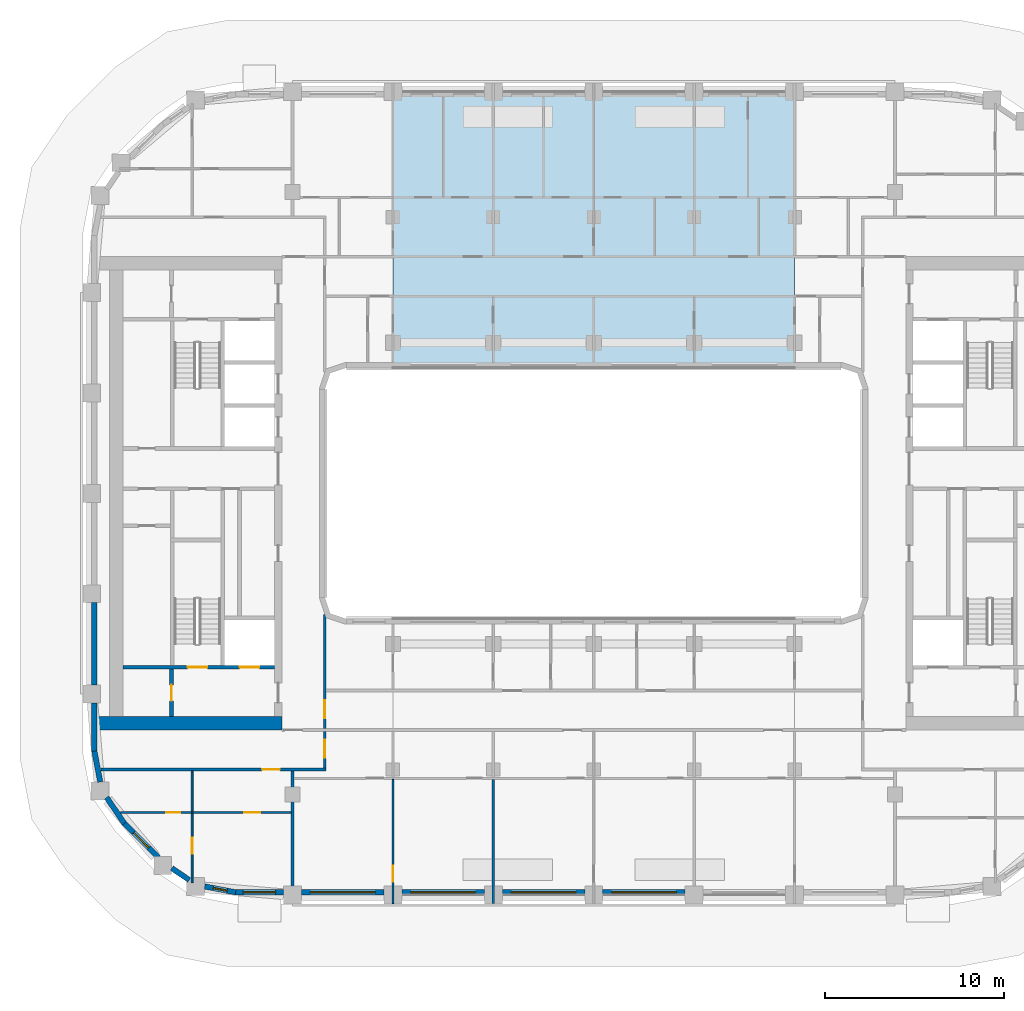
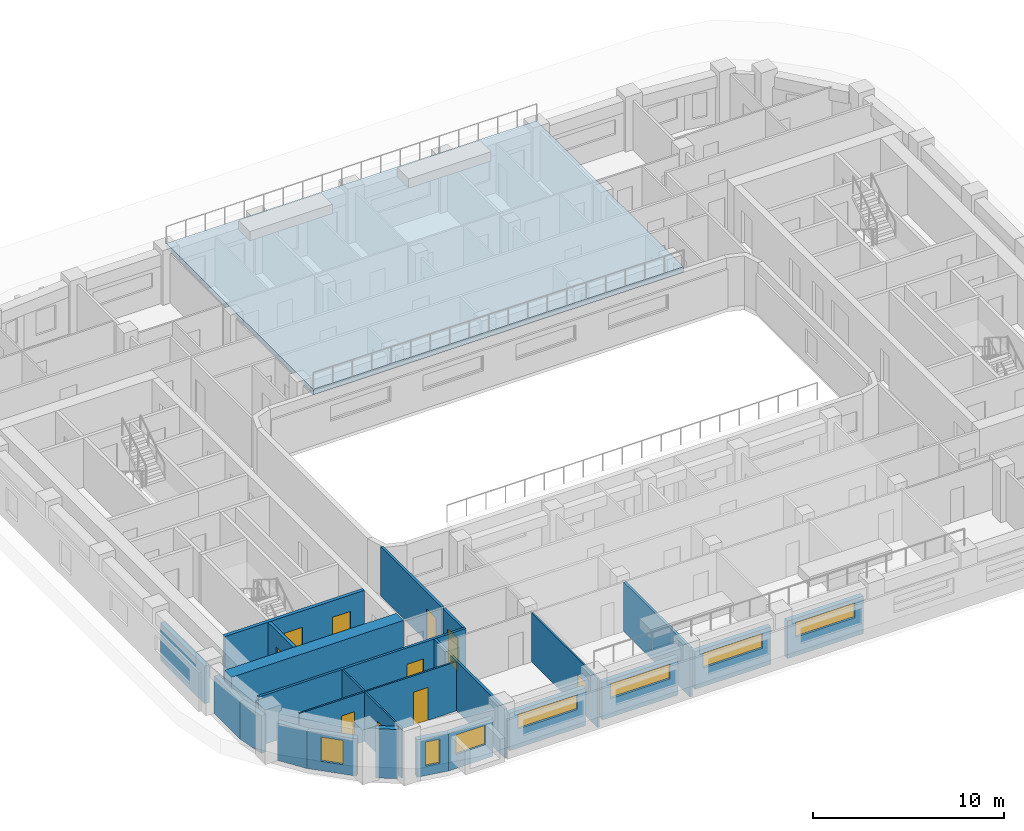
# One storey, part 2 of 17: 24 walls, 10 doors, 7 windows, 1 slab, 17 openings.
"""IFC4 building model written with IfcOpenShell, lengths in metres."""

from ifc_helpers import new_model, si_unit, direction, frame, frame_2d, origin, place, context, subcontext, project, spatial, polyline, rectangle, outline, extrude, material, layer, layer_set, type_object, element, fill, save


model = new_model("IFC4")

# Units and contexts
model_context = context("Model", 3, precision=1e-05, world=origin(), true_north=direction((0.0, 1.0)))
body_context = subcontext(model_context, "Body", "Model", "MODEL_VIEW")
ifc_project = project(units=[si_unit("LENGTHUNIT", "METRE"), si_unit("AREAUNIT", "SQUARE_METRE"), si_unit("VOLUMEUNIT", "CUBIC_METRE"), si_unit("PLANEANGLEUNIT", "RADIAN"), si_unit("MASSUNIT", "GRAM", prefix="KILO")], contexts=[model_context])

# Site, building, storey
site_placement = place(None, origin())
site = spatial("IfcSite", under=ifc_project, at=site_placement, CompositionType="ELEMENT")
building_placement = place(site_placement, origin())
building = spatial("IfcBuilding", under=site, at=building_placement, Name="Kiln Ring Residences", CompositionType="ELEMENT")
storey_placement = place(building_placement, frame((0.0, 0.0, 174.60009765625)))
storey = spatial("IfcBuildingStorey", under=building, at=storey_placement, Name="L45", CompositionType="ELEMENT", Elevation=174.60009765625)

# Slab
ifc_material_1 = material(Name="Concrete C40/50", Category="concrete")
ifc_layer_1 = layer(ifc_material_1, 0.35009765625)
ifc_layer_set_1 = layer_set([ifc_layer_1], Name="Roof slab 350")
slab_type = type_object("IfcSlabType", Name="Roof slab 350", PredefinedType="ROOF", material=ifc_layer_set_1)
slab_placement = place(storey_placement, frame((0.0, 0.0, 3.14990234375)))
element("IfcSlab", 1, at=slab_placement, inside=storey, type_object=slab_type, Name="Roof slab L45 2", PredefinedType="ROOF", context=body_context, shape_type="SweptSolid", body=[
    extrude(outline(polyline([(-11.199462890625, 22.39990234375), (-11.199462890625, 7.0), (11.199462890625, 7.0), (11.199462890625, 22.39990234375), (-11.199462890625, 22.39990234375)])), origin(), (0.0, 0.0, 1.0), 0.35009765625),
])

# Wall, opening, door
ifc_material_2 = material(Name="Gypsum board on steel studs", Category="steel")
ifc_layer_2 = layer(ifc_material_2, 0.199951171875)
ifc_layer_set_2 = layer_set([ifc_layer_2], Name="CORE-PARTITION-200")
wall_type_1 = type_object("IfcWallType", Name="CORE-PARTITION-200", PredefinedType="PARTITIONING", material=ifc_layer_set_2)
wall_1_placement = place(storey_placement, frame((-23.550048828125, -12.449951171875, 0.0), z_axis=(0.0, 0.0, 1.0), x_axis=(0.0, 1.0, 0.0)))
wall_1 = element("IfcWall", 2, at=wall_1_placement, inside=storey, type_object=wall_type_1, Name="Core partition west L45 5", PredefinedType="PARTITIONING", context=body_context, shape_type="SweptSolid", body=[
    extrude(rectangle(XDim=2.64990234375, YDim=0.199951171875, at=frame_2d((1.324951171875, 0.0))), origin(), (0.0, 0.0, 1.0), 3.14990234375),
])
opening_1_placement = place(wall_1_placement, frame((0.875, 0.0, 0.0)))
opening_1 = element("IfcOpeningElement", 3, at=opening_1_placement, cuts=wall_1, Name="Opening L45-CW10", PredefinedType="OPENING", context=body_context, shape_type="SweptSolid", body=[
    extrude(rectangle(XDim=0.89990234375, YDim=2.10009765625, at=frame_2d((0.449951171875, 1.050048828125))), frame((0.0, 0.10986328125, 0.0), z_axis=(0.0, -1.0, 0.0), x_axis=(1.0, 0.0, 0.0)), (0.0, 0.0, 1.0), 0.219970703125),
])
ifc_material_3 = material(Name="Steel door leaf", Category="steel")
door_type_1 = type_object("IfcDoorType", Name="CORE-DOOR-ROOM", OperationType="SINGLE_SWING_LEFT", PredefinedType="DOOR", material=ifc_material_3)
door_1_placement = place(opening_1_placement, origin())
door_1 = element("IfcDoor", 4, at=door_1_placement, inside=storey, type_object=door_type_1, Name="Store L45-CW10", OperationType="SINGLE_SWING_RIGHT", OverallHeight=2.10009765625, OverallWidth=0.89990234375, PredefinedType="DOOR", context=body_context, shape_type="SweptSolid", body=[
    extrude(rectangle(XDim=0.89990234375, YDim=2.10009765625, at=frame_2d((0.449951171875, 1.050048828125))), frame((0.0, 0.02490234375, 0.0), z_axis=(0.0, -1.0, 0.0), x_axis=(1.0, 0.0, 0.0)), (0.0, 0.0, 1.0), 0.050048828125),
])
fill(opening_1, door_1)

# Wall, openings, doors
ifc_material_4 = material(Name="Concrete C40/50", Category="concrete")
ifc_layer_3 = layer(ifc_material_4, 0.199951171875)
ifc_layer_set_3 = layer_set([ifc_layer_3], Name="CORE-WALL-RC200")
wall_type_2 = type_object("IfcWallType", Name="CORE-WALL-RC200", PredefinedType="SHEAR", material=ifc_layer_set_3)
wall_2_placement = place(storey_placement, frame((-17.800048828125, -9.699951171875, 0.0), z_axis=(0.0, 0.0, 1.0), x_axis=(-1.0, 0.0, 0.0)))
wall_2 = element("IfcWall", 5, at=wall_2_placement, inside=storey, type_object=wall_type_2, Name="Core wall west L45 8", PredefinedType="SHEAR", context=body_context, shape_type="SweptSolid", body=[
    extrude(rectangle(XDim=8.449951171875, YDim=0.199951171875, at=frame_2d((4.22509765625, 0.0))), origin(), (0.0, 0.0, 1.0), 3.14990234375),
])
opening_2_placement = place(wall_2_placement, frame((0.85009765625, 0.0, 0.0)))
opening_2 = element("IfcOpeningElement", 6, at=opening_2_placement, cuts=wall_2, Name="Opening L45-CW01", PredefinedType="OPENING", context=body_context, shape_type="SweptSolid", body=[
    extrude(rectangle(XDim=1.10009765625, YDim=2.10009765625, at=frame_2d((0.550048828125, 1.050048828125))), frame((0.0, 0.10986328125, 0.0), z_axis=(0.0, -1.0, 0.0), x_axis=(1.0, 0.0, 0.0)), (0.0, 0.0, 1.0), 0.219970703125),
])
opening_3_placement = place(wall_2_placement, frame((3.75, 0.0, 0.0)))
opening_3 = element("IfcOpeningElement", 7, at=opening_3_placement, cuts=wall_2, Name="Opening L45-CW12", PredefinedType="OPENING", context=body_context, shape_type="SweptSolid", body=[
    extrude(rectangle(XDim=1.10009765625, YDim=2.10009765625, at=frame_2d((0.550048828125, 1.050048828125))), frame((0.0, 0.10986328125, 0.0), z_axis=(0.0, -1.0, 0.0), x_axis=(1.0, 0.0, 0.0)), (0.0, 0.0, 1.0), 0.219970703125),
])
ifc_material_5 = material(Name="Steel door leaf", Category="steel")
door_type_2 = type_object("IfcDoorType", Name="CORE-DOOR-LD", OperationType="DOUBLE_DOOR_SLIDING", PredefinedType="DOOR", material=ifc_material_5)
door_2_placement = place(opening_2_placement, origin())
door_2 = element("IfcDoor", 8, at=door_2_placement, inside=storey, type_object=door_type_2, Name="LD W-SV L45-CW01", OperationType="DOUBLE_DOOR_SLIDING", OverallHeight=2.10009765625, OverallWidth=1.10009765625, PredefinedType="DOOR", context=body_context, shape_type="SweptSolid", body=[
    extrude(rectangle(XDim=1.10009765625, YDim=2.10009765625, at=frame_2d((0.550048828125, 1.050048828125))), frame((0.0, 0.02490234375, 0.0), z_axis=(0.0, -1.0, 0.0), x_axis=(1.0, 0.0, 0.0)), (0.0, 0.0, 1.0), 0.050048828125),
])
fill(opening_2, door_2)
ifc_material_6 = material(Name="Steel door leaf", Category="steel")
door_type_3 = type_object("IfcDoorType", Name="CORE-DOOR-STAIR", OperationType="SINGLE_SWING_LEFT", PredefinedType="DOOR", material=ifc_material_6)
door_3_placement = place(opening_3_placement, origin())
door_3 = element("IfcDoor", 9, at=door_3_placement, inside=storey, type_object=door_type_3, Name="Stair W-STS L45-CW12", OperationType="SINGLE_SWING_LEFT", OverallHeight=2.10009765625, OverallWidth=1.10009765625, PredefinedType="DOOR", context=body_context, shape_type="SweptSolid", body=[
    extrude(rectangle(XDim=1.10009765625, YDim=2.10009765625, at=frame_2d((0.550048828125, 1.050048828125))), frame((0.0, 0.02490234375, 0.0), z_axis=(0.0, -1.0, 0.0), x_axis=(1.0, 0.0, 0.0)), (0.0, 0.0, 1.0), 0.050048828125),
])
fill(opening_3, door_3)

# Wall
ifc_material_7 = material(Name="Concrete C60/75", Category="concrete")
ifc_layer_4 = layer(ifc_material_7, 0.75)
ifc_layer_set_4 = layer_set([ifc_layer_4], Name="CORE-WALL-RC750")
wall_type_3 = type_object("IfcWallType", Name="CORE-WALL-RC750", PredefinedType="SHEAR", material=ifc_layer_set_4)
wall_3_placement = place(storey_placement, frame((-17.39990234375, -12.824951171875, 0.0), z_axis=(0.0, 0.0, 1.0), x_axis=(-1.0, 0.0, 0.0)))
element("IfcWall", 10, at=wall_3_placement, inside=storey, type_object=wall_type_3, Name="Core wall west L45 5", PredefinedType="SHEAR", context=body_context, shape_type="SweptSolid", body=[
    extrude(rectangle(XDim=10.400146484375, YDim=0.75, at=frame_2d((5.2001953125, 0.0))), origin(), (0.0, 0.0, 1.0), 3.14990234375),
])

# Wall, opening, window
ifc_material_8 = material(Name="Brick masonry, dark clay brick", Category="masonry")
ifc_layer_5 = layer(ifc_material_8, 0.300048828125)
ifc_layer_set_5 = layer_set([ifc_layer_5], Name="EW-300 BRICK WALL")
wall_type_4 = type_object("IfcWallType", Name="EW-300 BRICK WALL", PredefinedType="SOLIDWALL", material=ifc_layer_set_5)
wall_4_placement = place(storey_placement, frame((-26.19677734375, -18.390869140625, 0.0), z_axis=(0.0, 0.0, 1.0), x_axis=(0.707061571201, -0.707151988282, 0.0)))
wall_4 = element("IfcWall", 11, at=wall_4_placement, inside=storey, type_object=wall_type_4, Name="Facade wall L45 1", PredefinedType="SOLIDWALL", context=body_context, shape_type="SweptSolid", body=[
    extrude(rectangle(XDim=2.7001953125, YDim=0.300048828125, at=frame_2d((1.35009765625, 0.0))), origin(), (0.0, 0.0, 1.0), 2.39990234375),
])
opening_4_placement = place(wall_4_placement, frame((0.75, 0.0, 0.60009765625)))
opening_4 = element("IfcOpeningElement", 12, at=opening_4_placement, cuts=wall_4, Name="Opening W1", PredefinedType="OPENING", context=body_context, shape_type="SweptSolid", body=[
    extrude(rectangle(XDim=1.199951171875, YDim=1.550048828125, at=frame_2d((0.60009765625, 0.77490234375))), frame((0.0, 0.159912109375, 0.0), z_axis=(0.0, -1.0, 0.0), x_axis=(1.0, 0.0, 0.0)), (0.0, 0.0, 1.0), 0.320068359375),
])
ifc_material_9 = material(Name="Aluminium frame with double glazing", Category="aluminium")
window_type_1 = type_object("IfcWindowType", Name="WINDOW 1200 x 1550", PartitioningType="SINGLE_PANEL", PredefinedType="WINDOW", material=ifc_material_9)
window_1_placement = place(opening_4_placement, origin())
window_1 = element("IfcWindow", 13, at=window_1_placement, inside=storey, type_object=window_type_1, Name="Window L45 1", OverallHeight=1.550048828125, OverallWidth=1.199951171875, PartitioningType="SINGLE_PANEL", PredefinedType="WINDOW", context=body_context, shape_type="SweptSolid", body=[
    extrude(rectangle(XDim=1.199951171875, YDim=1.550048828125, at=frame_2d((0.60009765625, 0.77490234375))), frame((0.0, 0.030029296875, 0.0), z_axis=(0.0, -1.0, 0.0), x_axis=(1.0, 0.0, 0.0)), (0.0, 0.0, 1.0), 0.06005859375),
])
fill(opening_4, window_1)

# Wall
wall_5_placement = place(storey_placement, frame((-23.533935546875, -20.904296875, 0.0), z_axis=(0.0, 0.0, 1.0), x_axis=(0.827103906596, -0.56204904385, 0.0)))
element("IfcWall", 14, at=wall_5_placement, inside=storey, type_object=wall_type_4, Name="Facade wall L45 2", PredefinedType="SOLIDWALL", context=body_context, shape_type="SweptSolid", body=[
    extrude(rectangle(XDim=1.17724609375, YDim=0.300048828125, at=frame_2d((0.588623046875, 0.0))), origin(), (0.0, 0.0, 1.0), 3.14990234375),
])

# Wall, opening, window
wall_6_placement = place(storey_placement, frame((-21.697021484375, -21.923583984375, 0.0), z_axis=(0.0, 0.0, 1.0), x_axis=(0.982284988433, -0.187393173565, 0.0)))
wall_6 = element("IfcWall", 15, at=wall_6_placement, inside=storey, type_object=wall_type_4, Name="Facade wall L45 3", PredefinedType="SOLIDWALL", context=body_context, shape_type="SweptSolid", body=[
    extrude(rectangle(XDim=1.756103515625, YDim=0.300048828125, at=frame_2d((0.8779296875, 0.0))), origin(), (0.0, 0.0, 1.0), 2.39990234375),
])
opening_5_placement = place(wall_6_placement, frame((0.47802734375, 0.0, 0.60009765625)))
opening_5 = element("IfcOpeningElement", 16, at=opening_5_placement, cuts=wall_6, Name="Opening W5", PredefinedType="OPENING", context=body_context, shape_type="SweptSolid", body=[
    extrude(rectangle(XDim=0.800048828125, YDim=1.550048828125, at=frame_2d((0.39990234375, 0.77490234375))), frame((0.0, 0.159912109375, 0.0), z_axis=(0.0, -1.0, 0.0), x_axis=(1.0, 0.0, 0.0)), (0.0, 0.0, 1.0), 0.320068359375),
])
ifc_material_10 = material(Name="Aluminium frame with double glazing", Category="aluminium")
window_type_2 = type_object("IfcWindowType", Name="WINDOW 800 x 1550", PartitioningType="SINGLE_PANEL", PredefinedType="WINDOW", material=ifc_material_10)
window_2_placement = place(opening_5_placement, origin())
window_2 = element("IfcWindow", 17, at=window_2_placement, inside=storey, type_object=window_type_2, Name="Window L45 2", OverallHeight=1.550048828125, OverallWidth=0.800048828125, PartitioningType="SINGLE_PANEL", PredefinedType="WINDOW", context=body_context, shape_type="SweptSolid", body=[
    extrude(rectangle(XDim=0.800048828125, YDim=1.550048828125, at=frame_2d((0.39990234375, 0.77490234375))), frame((0.0, 0.030029296875, 0.0), z_axis=(0.0, -1.0, 0.0), x_axis=(1.0, 0.0, 0.0)), (0.0, 0.0, 1.0), 0.06005859375),
])
fill(opening_5, window_2)

wall_7_placement = place(storey_placement, frame((-20.0, -22.25, 0.0), z_axis=(0.0, 0.0, 1.0), x_axis=(1.0, 0.0, 0.0)))
wall_7 = element("IfcWall", 18, at=wall_7_placement, inside=storey, type_object=wall_type_4, Name="Facade wall L45 4", PredefinedType="SOLIDWALL", context=body_context, shape_type="SweptSolid", body=[
    extrude(rectangle(XDim=2.699951171875, YDim=0.300048828125, at=frame_2d((1.35009765625, 0.0))), origin(), (0.0, 0.0, 1.0), 2.39990234375),
])
opening_6_placement = place(wall_7_placement, frame((0.449951171875, 0.0, 0.89990234375)))
opening_6 = element("IfcOpeningElement", 19, at=opening_6_placement, cuts=wall_7, Name="Opening W2", PredefinedType="OPENING", context=body_context, shape_type="SweptSolid", body=[
    extrude(rectangle(XDim=1.800048828125, YDim=1.25, at=frame_2d((0.89990234375, 0.625))), frame((0.0, 0.159912109375, 0.0), z_axis=(0.0, -1.0, 0.0), x_axis=(1.0, 0.0, 0.0)), (0.0, 0.0, 1.0), 0.320068359375),
])
ifc_material_11 = material(Name="Aluminium frame with double glazing", Category="aluminium")
window_type_3 = type_object("IfcWindowType", Name="WINDOW 1800 x 1250", PartitioningType="SINGLE_PANEL", PredefinedType="WINDOW", material=ifc_material_11)
window_3_placement = place(opening_6_placement, origin())
window_3 = element("IfcWindow", 20, at=window_3_placement, inside=storey, type_object=window_type_3, Name="Window L45 3", OverallHeight=1.25, OverallWidth=1.800048828125, PartitioningType="SINGLE_PANEL", PredefinedType="WINDOW", context=body_context, shape_type="SweptSolid", body=[
    extrude(rectangle(XDim=1.800048828125, YDim=1.25, at=frame_2d((0.89990234375, 0.625))), frame((0.0, 0.030029296875, 0.0), z_axis=(0.0, -1.0, 0.0), x_axis=(1.0, 0.0, 0.0)), (0.0, 0.0, 1.0), 0.06005859375),
])
fill(opening_6, window_3)

wall_8_placement = place(storey_placement, frame((-16.300048828125, -22.25, 0.0), z_axis=(0.0, 0.0, 1.0), x_axis=(1.0, 0.0, 0.0)))
wall_8 = element("IfcWall", 21, at=wall_8_placement, inside=storey, type_object=wall_type_4, Name="Facade wall L45 5", PredefinedType="SOLIDWALL", context=body_context, shape_type="SweptSolid", body=[
    extrude(rectangle(XDim=4.60009765625, YDim=0.300048828125, at=frame_2d((2.300048828125, 0.0))), origin(), (0.0, 0.0, 1.0), 2.39990234375),
])
opening_7_placement = place(wall_8_placement, frame((0.5, 0.0, 1.199951171875)))
opening_7 = element("IfcOpeningElement", 22, at=opening_7_placement, cuts=wall_8, Name="Opening W4", PredefinedType="OPENING", context=body_context, shape_type="SweptSolid", body=[
    extrude(rectangle(XDim=3.60009765625, YDim=0.949951171875, at=frame_2d((1.800048828125, 0.47509765625))), frame((0.0, 0.159912109375, 0.0), z_axis=(0.0, -1.0, 0.0), x_axis=(1.0, 0.0, 0.0)), (0.0, 0.0, 1.0), 0.320068359375),
])
ifc_material_12 = material(Name="Aluminium frame with double glazing", Category="aluminium")
window_type_4 = type_object("IfcWindowType", Name="WINDOW 3600 x 950", PartitioningType="SINGLE_PANEL", PredefinedType="WINDOW", material=ifc_material_12)
window_4_placement = place(opening_7_placement, origin())
window_4 = element("IfcWindow", 23, at=window_4_placement, inside=storey, type_object=window_type_4, Name="Window L45 4", OverallHeight=0.949951171875, OverallWidth=3.60009765625, PartitioningType="SINGLE_PANEL", PredefinedType="WINDOW", context=body_context, shape_type="SweptSolid", body=[
    extrude(rectangle(XDim=3.60009765625, YDim=0.949951171875, at=frame_2d((1.800048828125, 0.47509765625))), frame((0.0, 0.030029296875, 0.0), z_axis=(0.0, -1.0, 0.0), x_axis=(1.0, 0.0, 0.0)), (0.0, 0.0, 1.0), 0.06005859375),
])
fill(opening_7, window_4)

wall_9_placement = place(storey_placement, frame((-10.699951171875, -22.25, 0.0), z_axis=(0.0, 0.0, 1.0), x_axis=(1.0, 0.0, 0.0)))
wall_9 = element("IfcWall", 24, at=wall_9_placement, inside=storey, type_object=wall_type_4, Name="Facade wall L45 6", PredefinedType="SOLIDWALL", context=body_context, shape_type="SweptSolid", body=[
    extrude(rectangle(XDim=4.599853515625, YDim=0.300048828125, at=frame_2d((2.2998046875, 0.0))), origin(), (0.0, 0.0, 1.0), 2.39990234375),
])
opening_8_placement = place(wall_9_placement, frame((0.5, 0.0, 1.199951171875)))
opening_8 = element("IfcOpeningElement", 25, at=opening_8_placement, cuts=wall_9, Name="Opening W4", PredefinedType="OPENING", context=body_context, shape_type="SweptSolid", body=[
    extrude(rectangle(XDim=3.60009765625, YDim=0.949951171875, at=frame_2d((1.800048828125, 0.47509765625))), frame((0.0, 0.159912109375, 0.0), z_axis=(0.0, -1.0, 0.0), x_axis=(1.0, 0.0, 0.0)), (0.0, 0.0, 1.0), 0.320068359375),
])
window_5_placement = place(opening_8_placement, origin())
window_5 = element("IfcWindow", 26, at=window_5_placement, inside=storey, type_object=window_type_4, Name="Window L45 5", OverallHeight=0.949951171875, OverallWidth=3.60009765625, PartitioningType="SINGLE_PANEL", PredefinedType="WINDOW", context=body_context, shape_type="SweptSolid", body=[
    extrude(rectangle(XDim=3.60009765625, YDim=0.949951171875, at=frame_2d((1.800048828125, 0.47509765625))), frame((0.0, 0.030029296875, 0.0), z_axis=(0.0, -1.0, 0.0), x_axis=(1.0, 0.0, 0.0)), (0.0, 0.0, 1.0), 0.06005859375),
])
fill(opening_8, window_5)

wall_10_placement = place(storey_placement, frame((-5.10009765625, -22.25, 0.0), z_axis=(0.0, 0.0, 1.0), x_axis=(1.0, 0.0, 0.0)))
wall_10 = element("IfcWall", 27, at=wall_10_placement, inside=storey, type_object=wall_type_4, Name="Facade wall L45 7", PredefinedType="SOLIDWALL", context=body_context, shape_type="SweptSolid", body=[
    extrude(rectangle(XDim=4.60009765625, YDim=0.300048828125, at=frame_2d((2.300048828125, 0.0))), origin(), (0.0, 0.0, 1.0), 2.39990234375),
])
opening_9_placement = place(wall_10_placement, frame((0.5, 0.0, 1.199951171875)))
opening_9 = element("IfcOpeningElement", 28, at=opening_9_placement, cuts=wall_10, Name="Opening W4", PredefinedType="OPENING", context=body_context, shape_type="SweptSolid", body=[
    extrude(rectangle(XDim=3.60009765625, YDim=0.949951171875, at=frame_2d((1.800048828125, 0.47509765625))), frame((0.0, 0.159912109375, 0.0), z_axis=(0.0, -1.0, 0.0), x_axis=(1.0, 0.0, 0.0)), (0.0, 0.0, 1.0), 0.320068359375),
])
window_6_placement = place(opening_9_placement, origin())
window_6 = element("IfcWindow", 29, at=window_6_placement, inside=storey, type_object=window_type_4, Name="Window L45 6", OverallHeight=0.949951171875, OverallWidth=3.60009765625, PartitioningType="SINGLE_PANEL", PredefinedType="WINDOW", context=body_context, shape_type="SweptSolid", body=[
    extrude(rectangle(XDim=3.60009765625, YDim=0.949951171875, at=frame_2d((1.800048828125, 0.47509765625))), frame((0.0, 0.030029296875, 0.0), z_axis=(0.0, -1.0, 0.0), x_axis=(1.0, 0.0, 0.0)), (0.0, 0.0, 1.0), 0.06005859375),
])
fill(opening_9, window_6)

wall_11_placement = place(storey_placement, frame((0.5, -22.25, 0.0), z_axis=(0.0, 0.0, 1.0), x_axis=(1.0, 0.0, 0.0)))
wall_11 = element("IfcWall", 30, at=wall_11_placement, inside=storey, type_object=wall_type_4, Name="Facade wall L45 8", PredefinedType="SOLIDWALL", context=body_context, shape_type="SweptSolid", body=[
    extrude(rectangle(XDim=4.60009765625, YDim=0.300048828125, at=frame_2d((2.300048828125, 0.0))), origin(), (0.0, 0.0, 1.0), 2.39990234375),
])
opening_10_placement = place(wall_11_placement, frame((0.5, 0.0, 1.199951171875)))
opening_10 = element("IfcOpeningElement", 31, at=opening_10_placement, cuts=wall_11, Name="Opening W4", PredefinedType="OPENING", context=body_context, shape_type="SweptSolid", body=[
    extrude(rectangle(XDim=3.60009765625, YDim=0.949951171875, at=frame_2d((1.800048828125, 0.47509765625))), frame((0.0, 0.159912109375, 0.0), z_axis=(0.0, -1.0, 0.0), x_axis=(1.0, 0.0, 0.0)), (0.0, 0.0, 1.0), 0.320068359375),
])
window_7_placement = place(opening_10_placement, origin())
window_7 = element("IfcWindow", 32, at=window_7_placement, inside=storey, type_object=window_type_4, Name="Window L45 7", OverallHeight=0.949951171875, OverallWidth=3.60009765625, PartitioningType="SINGLE_PANEL", PredefinedType="WINDOW", context=body_context, shape_type="SweptSolid", body=[
    extrude(rectangle(XDim=3.60009765625, YDim=0.949951171875, at=frame_2d((1.800048828125, 0.47509765625))), frame((0.0, 0.030029296875, 0.0), z_axis=(0.0, -1.0, 0.0), x_axis=(1.0, 0.0, 0.0)), (0.0, 0.0, 1.0), 0.06005859375),
])
fill(opening_10, window_7)

# Walls
wall_12_placement = place(storey_placement, frame((-27.85009765625, -6.10009765625, 0.0), z_axis=(0.0, 0.0, 1.0), x_axis=(0.0, -1.0, 0.0)))
element("IfcWall", 33, at=wall_12_placement, inside=storey, type_object=wall_type_4, Name="Facade wall L45 45", PredefinedType="SOLIDWALL", context=body_context, shape_type="SweptSolid", body=[
    extrude(rectangle(XDim=4.599853515625, YDim=0.300048828125, at=frame_2d((2.2998046875, 0.0))), origin(), (0.0, 0.0, 1.0), 2.39990234375),
])
wall_13_placement = place(storey_placement, frame((-27.85009765625, -11.699951171875, 0.0), z_axis=(0.0, 0.0, 1.0), x_axis=(0.0, -1.0, 0.0)))
element("IfcWall", 34, at=wall_13_placement, inside=storey, type_object=wall_type_4, Name="Facade wall L45 46", PredefinedType="SOLIDWALL", context=body_context, shape_type="SweptSolid", body=[
    extrude(rectangle(XDim=2.699951171875, YDim=0.300048828125, at=frame_2d((1.35009765625, 0.0))), origin(), (0.0, 0.0, 1.0), 2.39990234375),
])
for number, where, z_axis, x_axis, name in (
    (35, (-27.8525390625, -14.371826171875, 0.0), (0.0, 0.0, 1.0), (0.187259034321, -0.982310569049, 0.0), "Facade wall L45 47"),
    (36, (-27.166015625, -16.96044921875, 0.0), (0.0, 0.0, 1.0), (0.562089443061, -0.82707645233, 0.0), "Facade wall L45 48"),
):
    element("IfcWall", number, at=place(storey_placement, frame(where, z_axis=z_axis, x_axis=x_axis)), inside=storey, type_object=wall_type_4, Name=name, PredefinedType="SOLIDWALL", context=body_context, shape_type="SweptSolid", body=[
        extrude(rectangle(XDim=1.756103515625, YDim=0.300048828125, at=frame_2d((0.8779296875, 0.0))), origin(), (0.0, 0.0, 1.0), 2.39990234375),
    ])

# Wall, openings, doors
ifc_material_13 = material(Name="Gypsum board on steel studs", Category="steel")
ifc_layer_6 = layer(ifc_material_13, 0.10009765625)
ifc_layer_set_6 = layer_set([ifc_layer_6], Name="PARTITION-100")
wall_type_5 = type_object("IfcWallType", Name="PARTITION-100", PredefinedType="PARTITIONING", material=ifc_layer_set_6)
wall_14_placement = place(storey_placement, frame((-26.39404296875, -17.800048828125, 0.0), z_axis=(0.0, 0.0, 1.0), x_axis=(1.0, 0.0, 0.0)))
wall_14 = element("IfcWall", 37, at=wall_14_placement, inside=storey, type_object=wall_type_5, Name="Partition 001", PredefinedType="PARTITIONING", context=body_context, shape_type="SweptSolid", body=[
    extrude(rectangle(XDim=9.51904296875, YDim=0.10009765625, at=frame_2d((4.759521484375, 0.0))), origin(), (0.0, 0.0, 1.0), 3.14990234375),
])
opening_11_placement = place(wall_14_placement, frame((2.5439453125, 0.0, 0.0)))
opening_11 = element("IfcOpeningElement", 38, at=opening_11_placement, cuts=wall_14, Name="Opening L45-D069", PredefinedType="OPENING", context=body_context, shape_type="SweptSolid", body=[
    extrude(rectangle(XDim=0.800048828125, YDim=2.10009765625, at=frame_2d((0.39990234375, 1.050048828125))), frame((0.0, 0.06005859375, 0.0), z_axis=(0.0, -1.0, 0.0), x_axis=(1.0, 0.0, 0.0)), (0.0, 0.0, 1.0), 0.1201171875),
])
opening_12_placement = place(wall_14_placement, frame((6.89404296875, 0.0, 0.0)))
opening_12 = element("IfcOpeningElement", 39, at=opening_12_placement, cuts=wall_14, Name="Opening L45-D070", PredefinedType="OPENING", context=body_context, shape_type="SweptSolid", body=[
    extrude(rectangle(XDim=0.89990234375, YDim=2.10009765625, at=frame_2d((0.449951171875, 1.050048828125))), frame((0.0, 0.06005859375, 0.0), z_axis=(0.0, -1.0, 0.0), x_axis=(1.0, 0.0, 0.0)), (0.0, 0.0, 1.0), 0.1201171875),
])
ifc_material_14 = material(Name="Timber door leaf", Category="wood")
door_type_4 = type_object("IfcDoorType", Name="FLAT-DOOR-800-PL", OperationType="SINGLE_SWING_LEFT", PredefinedType="DOOR", material=ifc_material_14)
door_4_placement = place(opening_11_placement, origin())
door_4 = element("IfcDoor", 40, at=door_4_placement, inside=storey, type_object=door_type_4, Name="Door L45-D069", OperationType="SINGLE_SWING_LEFT", OverallHeight=2.10009765625, OverallWidth=0.800048828125, PredefinedType="DOOR", context=body_context, shape_type="SweptSolid", body=[
    extrude(rectangle(XDim=0.800048828125, YDim=2.10009765625, at=frame_2d((0.39990234375, 1.050048828125))), frame((0.0, 0.02490234375, 0.0), z_axis=(0.0, -1.0, 0.0), x_axis=(1.0, 0.0, 0.0)), (0.0, 0.0, 1.0), 0.050048828125),
])
fill(opening_11, door_4)
ifc_material_15 = material(Name="Timber door leaf", Category="wood")
door_type_5 = type_object("IfcDoorType", Name="FLAT-DOOR-900-PL", OperationType="SINGLE_SWING_LEFT", PredefinedType="DOOR", material=ifc_material_15)
door_5_placement = place(opening_12_placement, origin())
door_5 = element("IfcDoor", 41, at=door_5_placement, inside=storey, type_object=door_type_5, Name="Door L45-D070", OperationType="SINGLE_SWING_RIGHT", OverallHeight=2.10009765625, OverallWidth=0.89990234375, PredefinedType="DOOR", context=body_context, shape_type="SweptSolid", body=[
    extrude(rectangle(XDim=0.89990234375, YDim=2.10009765625, at=frame_2d((0.449951171875, 1.050048828125))), frame((0.0, 0.02490234375, 0.0), z_axis=(0.0, -1.0, 0.0), x_axis=(1.0, 0.0, 0.0)), (0.0, 0.0, 1.0), 0.050048828125),
])
fill(opening_12, door_5)

# Wall, opening, door
wall_15_placement = place(storey_placement, frame((-22.39990234375, -21.719970703125, 0.0), z_axis=(0.0, 0.0, 1.0), x_axis=(0.0, 1.0, 0.0)))
wall_15 = element("IfcWall", 42, at=wall_15_placement, inside=storey, type_object=wall_type_5, Name="Partition 014", PredefinedType="PARTITIONING", context=body_context, shape_type="SweptSolid", body=[
    extrude(rectangle(XDim=3.869873046875, YDim=0.10009765625, at=frame_2d((1.93505859375, 0.0))), origin(), (0.0, 0.0, 1.0), 3.14990234375),
])
opening_13_placement = place(wall_15_placement, frame((1.6201171875, 0.0, 0.0)))
opening_13 = element("IfcOpeningElement", 43, at=opening_13_placement, cuts=wall_15, Name="Opening L45-D071", PredefinedType="OPENING", context=body_context, shape_type="SweptSolid", body=[
    extrude(rectangle(XDim=0.89990234375, YDim=2.10009765625, at=frame_2d((0.449951171875, 1.050048828125))), frame((0.0, 0.06005859375, 0.0), z_axis=(0.0, -1.0, 0.0), x_axis=(1.0, 0.0, 0.0)), (0.0, 0.0, 1.0), 0.1201171875),
])
door_6_placement = place(opening_13_placement, origin())
door_6 = element("IfcDoor", 44, at=door_6_placement, inside=storey, type_object=door_type_5, Name="Door L45-D071", OperationType="SINGLE_SWING_LEFT", OverallHeight=2.10009765625, OverallWidth=0.89990234375, PredefinedType="DOOR", context=body_context, shape_type="SweptSolid", body=[
    extrude(rectangle(XDim=0.89990234375, YDim=2.10009765625, at=frame_2d((0.449951171875, 1.050048828125))), frame((0.0, 0.02490234375, 0.0), z_axis=(0.0, -1.0, 0.0), x_axis=(1.0, 0.0, 0.0)), (0.0, 0.0, 1.0), 0.050048828125),
])
fill(opening_13, door_6)

# Wall
wall_16_placement = place(storey_placement, frame((-22.39990234375, -17.75, 0.0), z_axis=(0.0, 0.0, 1.0), x_axis=(0.0, 1.0, 0.0)))
element("IfcWall", 45, at=wall_16_placement, inside=storey, type_object=wall_type_5, Name="Partition 015", PredefinedType="PARTITIONING", context=body_context, shape_type="SweptSolid", body=[
    extrude(rectangle(XDim=2.27490234375, YDim=0.10009765625, at=frame_2d((1.137451171875, 0.0))), origin(), (0.0, 0.0, 1.0), 3.14990234375),
])

# Wall, opening, door
wall_17_placement = place(storey_placement, frame((-11.199951171875, -22.8798828125, 0.0), z_axis=(0.0, 0.0, 1.0), x_axis=(0.0, 1.0, 0.0)))
wall_17 = element("IfcWall", 46, at=wall_17_placement, inside=storey, type_object=wall_type_5, Name="Partition 026", PredefinedType="PARTITIONING", context=body_context, shape_type="SweptSolid", body=[
    extrude(rectangle(XDim=6.929931640625, YDim=0.10009765625, at=frame_2d((3.46484375, 0.0))), origin(), (0.0, 0.0, 1.0), 3.14990234375),
])
opening_14_placement = place(wall_17_placement, frame((1.219970703125, 0.0, 0.0)))
opening_14 = element("IfcOpeningElement", 47, at=opening_14_placement, cuts=wall_17, Name="Opening L45-D055", PredefinedType="OPENING", context=body_context, shape_type="SweptSolid", body=[
    extrude(rectangle(XDim=0.89990234375, YDim=2.10009765625, at=frame_2d((0.449951171875, 1.050048828125))), frame((0.0, 0.06005859375, 0.0), z_axis=(0.0, -1.0, 0.0), x_axis=(1.0, 0.0, 0.0)), (0.0, 0.0, 1.0), 0.1201171875),
])
door_7_placement = place(opening_14_placement, origin())
door_7 = element("IfcDoor", 48, at=door_7_placement, inside=storey, type_object=door_type_5, Name="Door L45-D055", OperationType="SINGLE_SWING_LEFT", OverallHeight=2.10009765625, OverallWidth=0.89990234375, PredefinedType="DOOR", context=body_context, shape_type="SweptSolid", body=[
    extrude(rectangle(XDim=0.89990234375, YDim=2.10009765625, at=frame_2d((0.449951171875, 1.050048828125))), frame((0.0, 0.02490234375, 0.0), z_axis=(0.0, -1.0, 0.0), x_axis=(1.0, 0.0, 0.0)), (0.0, 0.0, 1.0), 0.050048828125),
])
fill(opening_14, door_7)

ifc_material_16 = material(Name="Brick masonry partition", Category="masonry")
ifc_layer_7 = layer(ifc_material_16, 0.14990234375)
ifc_layer_set_7 = layer_set([ifc_layer_7], Name="PARTITION-150-ei60")
wall_type_6 = type_object("IfcWallType", Name="PARTITION-150-ei60", PredefinedType="PARTITIONING", material=ifc_layer_set_7)
wall_18_placement = place(storey_placement, frame((-27.48388671875, -15.39990234375, 0.0), z_axis=(0.0, 0.0, 1.0), x_axis=(1.0, 0.0, 0.0)))
wall_18 = element("IfcWall", 49, at=wall_18_placement, inside=storey, type_object=wall_type_6, Name="Partition 003", PredefinedType="PARTITIONING", context=body_context, shape_type="SweptSolid", body=[
    extrude(rectangle(XDim=12.558837890625, YDim=0.14990234375, at=frame_2d((6.279296875, 0.0))), origin(), (0.0, 0.0, 1.0), 3.14990234375),
])
opening_15_placement = place(wall_18_placement, frame((8.98388671875, 0.0, 0.0)))
opening_15 = element("IfcOpeningElement", 50, at=opening_15_placement, cuts=wall_18, Name="Opening L45-D068", PredefinedType="OPENING", context=body_context, shape_type="SweptSolid", body=[
    extrude(rectangle(XDim=1.0, YDim=2.10009765625, at=frame_2d((0.5, 1.050048828125))), frame((0.0, 0.0849609375, 0.0), z_axis=(0.0, -1.0, 0.0), x_axis=(1.0, 0.0, 0.0)), (0.0, 0.0, 1.0), 0.169921875),
])
ifc_material_17 = material(Name="Steel faced fire door leaf", Category="steel")
door_type_6 = type_object("IfcDoorType", Name="FLAT-DOOR-1000-FR", OperationType="SINGLE_SWING_LEFT", PredefinedType="DOOR", material=ifc_material_17)
door_8_placement = place(opening_15_placement, origin())
door_8 = element("IfcDoor", 51, at=door_8_placement, inside=storey, type_object=door_type_6, Name="Door L45-D068", OperationType="SINGLE_SWING_RIGHT", OverallHeight=2.10009765625, OverallWidth=1.0, PredefinedType="DOOR", context=body_context, shape_type="SweptSolid", body=[
    extrude(rectangle(XDim=1.0, YDim=2.10009765625, at=frame_2d((0.5, 1.050048828125))), frame((0.0, 0.02490234375, 0.0), z_axis=(0.0, -1.0, 0.0), x_axis=(1.0, 0.0, 0.0)), (0.0, 0.0, 1.0), 0.050048828125),
])
fill(opening_15, door_8)

# Wall
wall_19_placement = place(storey_placement, frame((-16.800048828125, -22.8798828125, 0.0), z_axis=(0.0, 0.0, 1.0), x_axis=(0.0, 1.0, 0.0)))
element("IfcWall", 52, at=wall_19_placement, inside=storey, type_object=wall_type_6, Name="Partition 018", PredefinedType="PARTITIONING", context=body_context, shape_type="SweptSolid", body=[
    extrude(rectangle(XDim=7.40478515625, YDim=0.14990234375, at=frame_2d((3.702392578125, 0.0))), origin(), (0.0, 0.0, 1.0), 3.14990234375),
])

# Wall, opening, door
wall_20_placement = place(storey_placement, frame((-15.0, -15.324951171875, 0.0), z_axis=(0.0, 0.0, 1.0), x_axis=(0.0, 1.0, 0.0)))
wall_20 = element("IfcWall", 53, at=wall_20_placement, inside=storey, type_object=wall_type_6, Name="Partition 020", PredefinedType="PARTITIONING", context=body_context, shape_type="SweptSolid", body=[
    extrude(rectangle(XDim=2.050048828125, YDim=0.14990234375, at=frame_2d((1.02490234375, 0.0))), origin(), (0.0, 0.0, 1.0), 3.14990234375),
])
opening_16_placement = place(wall_20_placement, frame((0.573974609375, 0.0, 0.0)))
opening_16 = element("IfcOpeningElement", 54, at=opening_16_placement, cuts=wall_20, Name="Opening L45-D052", PredefinedType="OPENING", context=body_context, shape_type="SweptSolid", body=[
    extrude(rectangle(XDim=1.0, YDim=2.10009765625, at=frame_2d((0.5, 1.050048828125))), frame((0.0, 0.0849609375, 0.0), z_axis=(0.0, -1.0, 0.0), x_axis=(1.0, 0.0, 0.0)), (0.0, 0.0, 1.0), 0.169921875),
])
door_9_placement = place(opening_16_placement, origin())
door_9 = element("IfcDoor", 55, at=door_9_placement, inside=storey, type_object=door_type_6, Name="Door L45-D052", OperationType="SINGLE_SWING_RIGHT", OverallHeight=2.10009765625, OverallWidth=1.0, PredefinedType="DOOR", context=body_context, shape_type="SweptSolid", body=[
    extrude(rectangle(XDim=1.0, YDim=2.10009765625, at=frame_2d((0.5, 1.050048828125))), frame((0.0, 0.02490234375, 0.0), z_axis=(0.0, -1.0, 0.0), x_axis=(1.0, 0.0, 0.0)), (0.0, 0.0, 1.0), 0.050048828125),
])
fill(opening_16, door_9)

wall_21_placement = place(storey_placement, frame((-15.0, -13.125, 0.0), z_axis=(0.0, 0.0, 1.0), x_axis=(0.0, 1.0, 0.0)))
wall_21 = element("IfcWall", 56, at=wall_21_placement, inside=storey, type_object=wall_type_6, Name="Partition 021", PredefinedType="PARTITIONING", context=body_context, shape_type="SweptSolid", body=[
    extrude(rectangle(XDim=6.356201171875, YDim=0.14990234375, at=frame_2d((3.17822265625, 0.0))), origin(), (0.0, 0.0, 1.0), 3.14990234375),
])
opening_17_placement = place(wall_21_placement, frame((0.574951171875, 0.0, 0.0)))
opening_17 = element("IfcOpeningElement", 57, at=opening_17_placement, cuts=wall_21, Name="Opening L45-D005", PredefinedType="OPENING", context=body_context, shape_type="SweptSolid", body=[
    extrude(rectangle(XDim=1.0, YDim=2.10009765625, at=frame_2d((0.5, 1.050048828125))), frame((0.0, 0.0849609375, 0.0), z_axis=(0.0, -1.0, 0.0), x_axis=(1.0, 0.0, 0.0)), (0.0, 0.0, 1.0), 0.169921875),
])
door_10_placement = place(opening_17_placement, origin())
door_10 = element("IfcDoor", 58, at=door_10_placement, inside=storey, type_object=door_type_6, Name="Door L45-D005", OperationType="SINGLE_SWING_RIGHT", OverallHeight=2.10009765625, OverallWidth=1.0, PredefinedType="DOOR", context=body_context, shape_type="SweptSolid", body=[
    extrude(rectangle(XDim=1.0, YDim=2.10009765625, at=frame_2d((0.5, 1.050048828125))), frame((0.0, 0.02490234375, 0.0), z_axis=(0.0, -1.0, 0.0), x_axis=(1.0, 0.0, 0.0)), (0.0, 0.0, 1.0), 0.050048828125),
])
fill(opening_17, door_10)

# Wall
wall_22_placement = place(storey_placement, frame((-5.60009765625, -22.8798828125, 0.0), z_axis=(0.0, 0.0, 1.0), x_axis=(0.0, 1.0, 0.0)))
element("IfcWall", 59, at=wall_22_placement, inside=storey, type_object=wall_type_6, Name="Partition 035", PredefinedType="PARTITIONING", context=body_context, shape_type="SweptSolid", body=[
    extrude(rectangle(XDim=6.929931640625, YDim=0.14990234375, at=frame_2d((3.46484375, 0.0))), origin(), (0.0, 0.0, 1.0), 3.14990234375),
])

save(model, "model.ifc")
